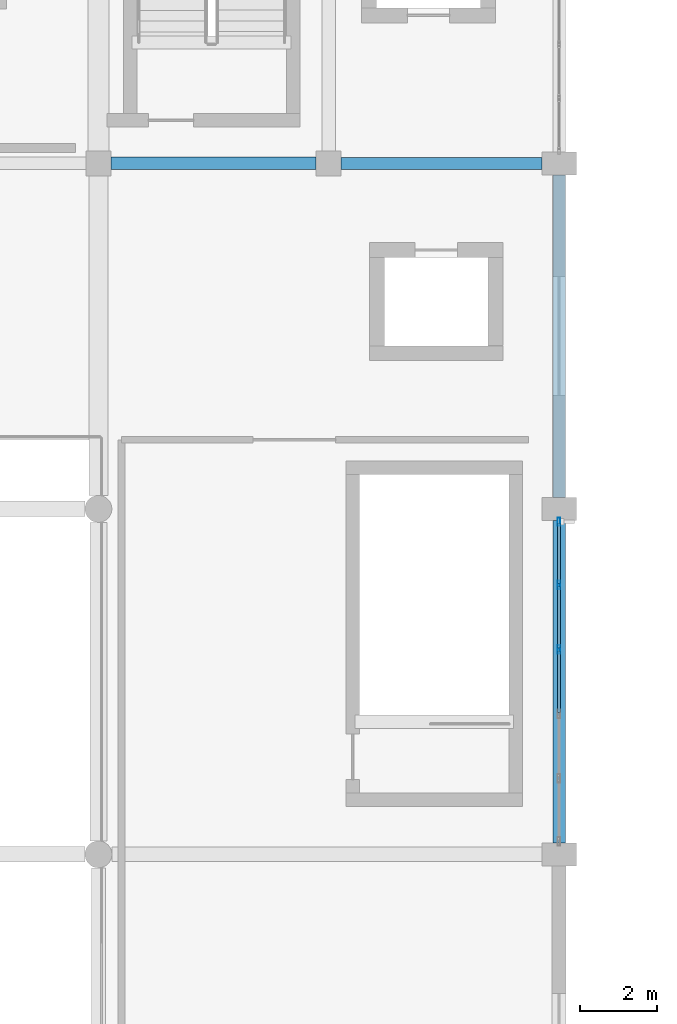
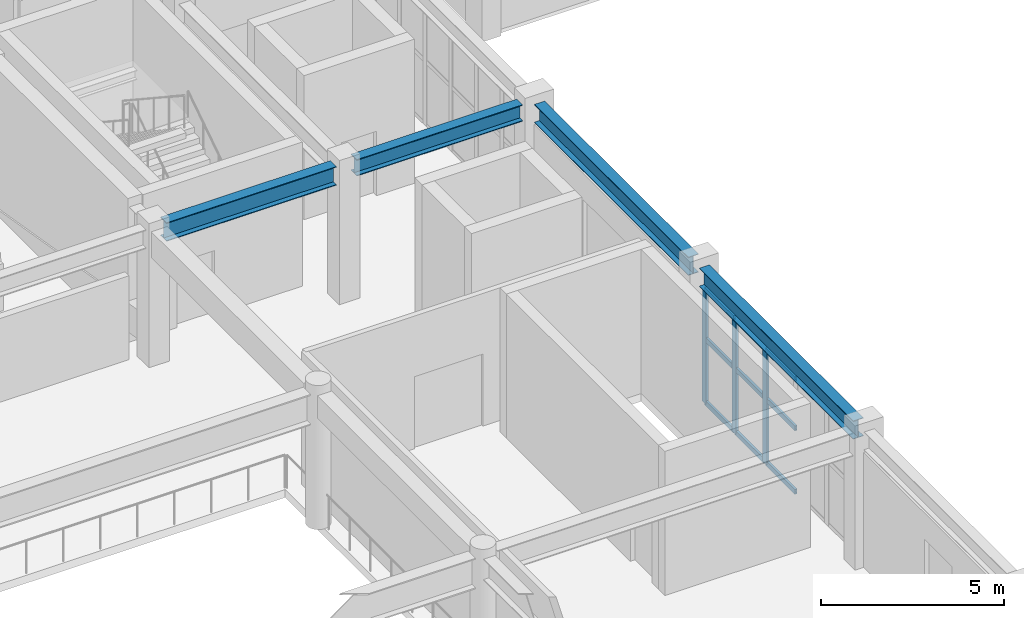
# One storey, part 25 of 80: 12 members, 4 beams, 1 element without a shape of its own.
"""IFC4 building model written with IfcOpenShell, lengths in metres."""

from ifc_helpers import new_model, si_unit, direction, frame, origin, origin_2d, place, context, subcontext, project, spatial, hollow_rectangle, i_section, extrude, material, layer, layer_set, material_profile, profile_set, type_object, element, aggregate, save


model = new_model("IFC4")

# Units and contexts
model_context = context("Model", 3, precision=1e-05, world=origin(), true_north=direction((0.0, 1.0)))
body_context = subcontext(model_context, "Body", "Model", "MODEL_VIEW")
ifc_project = project(units=[si_unit("LENGTHUNIT", "METRE"), si_unit("AREAUNIT", "SQUARE_METRE"), si_unit("VOLUMEUNIT", "CUBIC_METRE"), si_unit("PLANEANGLEUNIT", "RADIAN"), si_unit("MASSUNIT", "GRAM", prefix="KILO")], contexts=[model_context])

# Site, building, storey
site_placement = place(None, origin())
site = spatial("IfcSite", under=ifc_project, at=site_placement, CompositionType="ELEMENT")
building_placement = place(site_placement, origin())
building = spatial("IfcBuilding", under=site, at=building_placement, Name="Vaelkrest Opera House", CompositionType="ELEMENT")
storey_placement = place(building_placement, frame((0.0, 0.0, 15.0)))
storey = spatial("IfcBuildingStorey", under=building, at=storey_placement, Name="L03", CompositionType="ELEMENT", Elevation=15.0)

# Beams
ifc_material_1 = material(Name="Steel A992 Gr50", Category="steel")
ifc_material_profile_1 = material_profile(ifc_material_1, i_section(OverallWidth=0.326904296875, OverallDepth=0.6220703125, WebThickness=0.015380859375, FlangeThickness=0.0244140625, at=origin_2d()), Name="W24X131")
ifc_profile_set_1 = profile_set([ifc_material_profile_1], Name="Steel A992 Gr50")
beam_type_1 = type_object("IfcBeamType", Name="B19", PredefinedType="BEAM", material=ifc_profile_set_1)
beam_1_placement = place(storey_placement, frame((18.324951171875, -28.800048828125, 4.194091796875), z_axis=(1.0, 0.0, 0.0), x_axis=(0.0, 1.0, 0.0)))
element("IfcBeam", 1, at=beam_1_placement, inside=storey, type_object=beam_type_1, Name="Beam BM-V1-L03-0443", PredefinedType="BEAM", context=body_context, shape_type="SweptSolid", body=[
    extrude(i_section(OverallWidth=0.326904296875, OverallDepth=0.6220703125, WebThickness=0.015380859375, FlangeThickness=0.0244140625, at=origin_2d()), origin(), (0.0, 0.0, 1.0), 5.35009765625),
])
ifc_material_profile_2 = material_profile(ifc_material_1, i_section(OverallWidth=0.31494140625, OverallDepth=0.551025390625, WebThickness=0.01513671875, FlangeThickness=0.0244140625, at=origin_2d()), Name="W21X122")
ifc_profile_set_2 = profile_set([ifc_material_profile_2], Name="Steel A992 Gr50")
beam_type_2 = type_object("IfcBeamType", Name="B20", PredefinedType="BEAM", material=ifc_profile_set_2)
beam_2_placement = place(storey_placement, frame((24.324951171875, -28.800048828125, 4.2294921875), z_axis=(1.0, 0.0, 0.0), x_axis=(0.0, 1.0, 0.0)))
element("IfcBeam", 2, at=beam_2_placement, inside=storey, type_object=beam_type_2, Name="Beam BM-V1-L03-0444", PredefinedType="BEAM", context=body_context, shape_type="SweptSolid", body=[
    extrude(i_section(OverallWidth=0.31494140625, OverallDepth=0.551025390625, WebThickness=0.01513671875, FlangeThickness=0.0244140625, at=origin_2d()), origin(), (0.0, 0.0, 1.0), 5.22509765625),
])

# Curtain wall, members
ifc_material_2 = material(Name="Dark bronze anodized aluminium", Category="aluminium")
ifc_layer = layer(ifc_material_2, 0.199951171875)
ifc_layer_set = layer_set([ifc_layer], Name="Dark bronze anodized aluminium")
curtain_wall_type = type_object("IfcCurtainWallType", Name="CW03", PredefinedType="NOTDEFINED", material=ifc_layer_set)
curtain_wall_placement = place(storey_placement, origin())
curtain_wall = element("IfcCurtainWall", 3, at=curtain_wall_placement, inside=storey, type_object=curtain_wall_type, Name="Curtain wall CW-L03-054", PredefinedType="NOTDEFINED")
ifc_material_profile_3 = material_profile(ifc_material_2, hollow_rectangle(XDim=0.074951171875, YDim=0.219970703125, WallThickness=0.00439453125, at=origin_2d()), Name="CWM75X220")
ifc_profile_set_3 = profile_set([ifc_material_profile_3], Name="Dark bronze anodized aluminium")
member_type_1 = type_object("IfcMemberType", Name="CWM03", PredefinedType="MULLION", material=ifc_profile_set_3)
member_1_placement = place(storey_placement, frame((30.0, -38.135498046875, 0.0), z_axis=(0.0, 0.0, 1.0), x_axis=(1.0, 0.0, 0.0)))
member_1 = element("IfcMember", 4, at=member_1_placement, type_object=member_type_1, Name="CW03 mullion 1", PredefinedType="MULLION", context=body_context, shape_type="SweptSolid", body=[
    extrude(hollow_rectangle(XDim=0.074951171875, YDim=0.219970703125, WallThickness=0.00439453125, at=origin_2d()), origin(), (0.0, 0.0, 1.0), 3.8291015625),
])
member_2_placement = place(storey_placement, frame((30.0, -39.77880859375, 0.0), z_axis=(0.0, 0.0, 1.0), x_axis=(1.0, 0.0, 0.0)))
member_2 = element("IfcMember", 5, at=member_2_placement, type_object=member_type_1, Name="CW03 mullion 2", PredefinedType="MULLION", context=body_context, shape_type="SweptSolid", body=[
    extrude(hollow_rectangle(XDim=0.074951171875, YDim=0.219970703125, WallThickness=0.00439453125, at=origin_2d()), origin(), (0.0, 0.0, 1.0), 3.8291015625),
])
member_3_placement = place(storey_placement, frame((30.0, -41.459716796875, 0.0), z_axis=(0.0, 0.0, 1.0), x_axis=(1.0, 0.0, 0.0)))
member_3 = element("IfcMember", 6, at=member_3_placement, type_object=member_type_1, Name="CW03 mullion 3", PredefinedType="MULLION", context=body_context, shape_type="SweptSolid", body=[
    extrude(hollow_rectangle(XDim=0.074951171875, YDim=0.219970703125, WallThickness=0.00439453125, at=origin_2d()), origin(), (0.0, 0.0, 1.0), 3.8291015625),
])
ifc_material_profile_4 = material_profile(ifc_material_2, hollow_rectangle(XDim=0.074951171875, YDim=0.159912109375, WallThickness=0.00439453125, at=origin_2d()), Name="CWT75X160")
ifc_profile_set_4 = profile_set([ifc_material_profile_4], Name="Dark bronze anodized aluminium")
member_type_2 = type_object("IfcMemberType", Name="CWT03", PredefinedType="USERDEFINED", material=ifc_profile_set_4)
member_4_placement = place(storey_placement, frame((30.0, -38.173095703125, 0.03759765625), z_axis=(0.0, -1.0, 0.0), x_axis=(1.0, 0.0, 0.0)))
member_4 = element("IfcMember", 7, at=member_4_placement, type_object=member_type_2, Name="CW03 transom 1.1", ObjectType="TRANSOM", PredefinedType="USERDEFINED", context=body_context, shape_type="SweptSolid", body=[
    extrude(hollow_rectangle(XDim=0.074951171875, YDim=0.159912109375, WallThickness=0.00439453125, at=origin_2d()), origin(), (0.0, 0.0, 1.0), 1.568115234375),
])
member_5_placement = place(storey_placement, frame((30.0, -38.173095703125, 2.14990234375), z_axis=(0.0, -1.0, 0.0), x_axis=(1.0, 0.0, 0.0)))
member_5 = element("IfcMember", 8, at=member_5_placement, type_object=member_type_2, Name="CW03 transom 1.2", ObjectType="TRANSOM", PredefinedType="USERDEFINED", context=body_context, shape_type="SweptSolid", body=[
    extrude(hollow_rectangle(XDim=0.074951171875, YDim=0.159912109375, WallThickness=0.00439453125, at=origin_2d()), origin(), (0.0, 0.0, 1.0), 1.568115234375),
])
member_6_placement = place(storey_placement, frame((30.0, -38.173095703125, 3.79150390625), z_axis=(0.0, -1.0, 0.0), x_axis=(1.0, 0.0, 0.0)))
member_6 = element("IfcMember", 9, at=member_6_placement, type_object=member_type_2, Name="CW03 transom 1.3", ObjectType="TRANSOM", PredefinedType="USERDEFINED", context=body_context, shape_type="SweptSolid", body=[
    extrude(hollow_rectangle(XDim=0.074951171875, YDim=0.159912109375, WallThickness=0.00439453125, at=origin_2d()), origin(), (0.0, 0.0, 1.0), 1.568115234375),
])
member_7_placement = place(storey_placement, frame((30.0, -39.81640625, 0.03759765625), z_axis=(0.0, -1.0, 0.0), x_axis=(1.0, 0.0, 0.0)))
member_7 = element("IfcMember", 10, at=member_7_placement, type_object=member_type_2, Name="CW03 transom 2.1", ObjectType="TRANSOM", PredefinedType="USERDEFINED", context=body_context, shape_type="SweptSolid", body=[
    extrude(hollow_rectangle(XDim=0.074951171875, YDim=0.159912109375, WallThickness=0.00439453125, at=origin_2d()), origin(), (0.0, 0.0, 1.0), 1.605712890625),
])
member_8_placement = place(storey_placement, frame((30.0, -39.81640625, 2.14990234375), z_axis=(0.0, -1.0, 0.0), x_axis=(1.0, 0.0, 0.0)))
member_8 = element("IfcMember", 11, at=member_8_placement, type_object=member_type_2, Name="CW03 transom 2.2", ObjectType="TRANSOM", PredefinedType="USERDEFINED", context=body_context, shape_type="SweptSolid", body=[
    extrude(hollow_rectangle(XDim=0.074951171875, YDim=0.159912109375, WallThickness=0.00439453125, at=origin_2d()), origin(), (0.0, 0.0, 1.0), 1.605712890625),
])
member_9_placement = place(storey_placement, frame((30.0, -39.81640625, 3.79150390625), z_axis=(0.0, -1.0, 0.0), x_axis=(1.0, 0.0, 0.0)))
member_9 = element("IfcMember", 12, at=member_9_placement, type_object=member_type_2, Name="CW03 transom 2.3", ObjectType="TRANSOM", PredefinedType="USERDEFINED", context=body_context, shape_type="SweptSolid", body=[
    extrude(hollow_rectangle(XDim=0.074951171875, YDim=0.159912109375, WallThickness=0.00439453125, at=origin_2d()), origin(), (0.0, 0.0, 1.0), 1.605712890625),
])
member_10_placement = place(storey_placement, frame((30.0, -41.4970703125, 0.03759765625), z_axis=(0.0, -1.0, 0.0), x_axis=(1.0, 0.0, 0.0)))
member_10 = element("IfcMember", 13, at=member_10_placement, type_object=member_type_2, Name="CW03 transom 3.1", ObjectType="TRANSOM", PredefinedType="USERDEFINED", context=body_context, shape_type="SweptSolid", body=[
    extrude(hollow_rectangle(XDim=0.074951171875, YDim=0.159912109375, WallThickness=0.00439453125, at=origin_2d()), origin(), (0.0, 0.0, 1.0), 1.605712890625),
])
member_11_placement = place(storey_placement, frame((30.0, -41.4970703125, 2.14990234375), z_axis=(0.0, -1.0, 0.0), x_axis=(1.0, 0.0, 0.0)))
member_11 = element("IfcMember", 14, at=member_11_placement, type_object=member_type_2, Name="CW03 transom 3.2", ObjectType="TRANSOM", PredefinedType="USERDEFINED", context=body_context, shape_type="SweptSolid", body=[
    extrude(hollow_rectangle(XDim=0.074951171875, YDim=0.159912109375, WallThickness=0.00439453125, at=origin_2d()), origin(), (0.0, 0.0, 1.0), 1.605712890625),
])
member_12_placement = place(storey_placement, frame((30.0, -41.4970703125, 3.79150390625), z_axis=(0.0, -1.0, 0.0), x_axis=(1.0, 0.0, 0.0)))
member_12 = element("IfcMember", 15, at=member_12_placement, type_object=member_type_2, Name="CW03 transom 3.3", ObjectType="TRANSOM", PredefinedType="USERDEFINED", context=body_context, shape_type="SweptSolid", body=[
    extrude(hollow_rectangle(XDim=0.074951171875, YDim=0.159912109375, WallThickness=0.00439453125, at=origin_2d()), origin(), (0.0, 0.0, 1.0), 1.605712890625),
])
aggregate(curtain_wall, [member_1, member_2, member_3, member_4, member_5, member_6, member_7, member_8, member_9, member_10, member_11, member_12])

# Beams
ifc_material_profile_5 = material_profile(ifc_material_1, i_section(OverallWidth=0.323974609375, OverallDepth=0.611083984375, WebThickness=0.0126953125, FlangeThickness=0.01904296875, at=origin_2d()), Name="W24X104")
ifc_profile_set_5 = profile_set([ifc_material_profile_5], Name="Steel A992 Gr50")
beam_type_3 = type_object("IfcBeamType", Name="SP01", PredefinedType="SPANDREL", material=ifc_profile_set_5)
for number, where, z_axis, x_axis, name in (
    (16, (30.0, -46.5, 4.199462890625), (0.0, 1.0, 0.0), (-1.0, 0.0, 0.0), "Beam BM-V1-L03-0508"),
    (17, (30.0, -37.5, 4.199462890625), (0.0, 1.0, 0.0), (-1.0, 0.0, 0.0), "Beam BM-V1-L03-0509"),
):
    element("IfcBeam", number, at=place(storey_placement, frame(where, z_axis=z_axis, x_axis=x_axis)), inside=storey, type_object=beam_type_3, Name=name, PredefinedType="SPANDREL", context=body_context, shape_type="SweptSolid", body=[
        extrude(i_section(OverallWidth=0.323974609375, OverallDepth=0.611083984375, WebThickness=0.0126953125, FlangeThickness=0.01904296875, at=origin_2d()), origin(), (0.0, 0.0, 1.0), 8.39990234375),
    ])

save(model, "model.ifc")
